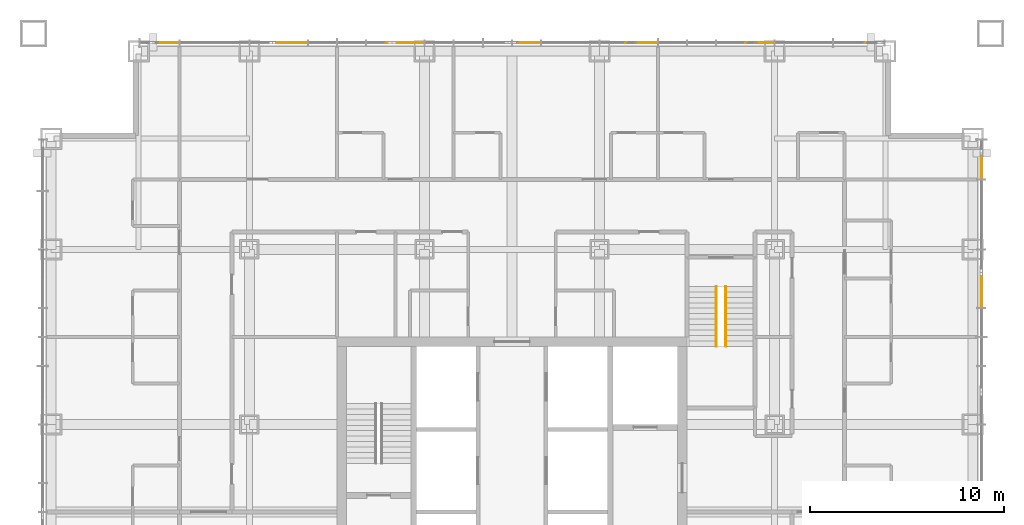
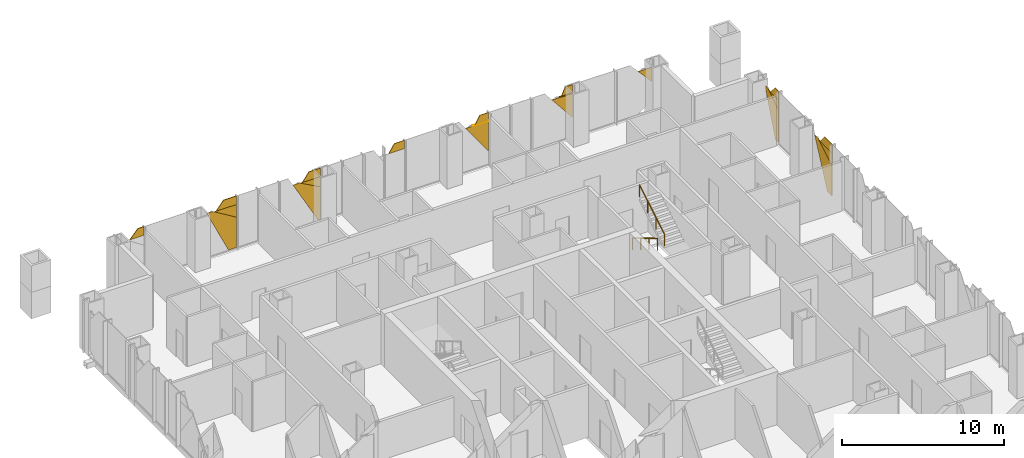
# One storey, part 15 of 23: 21 coverings, 2 railings.
"""IFC4 building model written with IfcOpenShell, lengths in metres."""

from ifc_helpers import new_model, si_unit, direction, frame, origin, origin_2d, place, context, subcontext, project, spatial, polyline, circle, outline, extrude, material, layer, layer_set, type_object, element, save


model = new_model("IFC4")

# Units and contexts
model_context = context("Model", 3, precision=1e-05, world=origin(), true_north=direction((0.0, 1.0)))
body_context = subcontext(model_context, "Body", "Model", "MODEL_VIEW")
ifc_project = project(units=[si_unit("LENGTHUNIT", "METRE"), si_unit("AREAUNIT", "SQUARE_METRE"), si_unit("VOLUMEUNIT", "CUBIC_METRE"), si_unit("PLANEANGLEUNIT", "RADIAN"), si_unit("MASSUNIT", "GRAM", prefix="KILO")], contexts=[model_context])

# Site, building, storey
site_placement = place(None, origin())
site = spatial("IfcSite", under=ifc_project, at=site_placement, CompositionType="ELEMENT")
building_placement = place(site_placement, origin())
building = spatial("IfcBuilding", under=site, at=building_placement, Name="Malebo Sky Hospital", CompositionType="ELEMENT")
storey_placement = place(building_placement, frame((0.0, 0.0, 168.0)))
storey = spatial("IfcBuildingStorey", under=building, at=storey_placement, Name="L40", CompositionType="ELEMENT", Elevation=168.0)

# Coverings
ifc_material_1 = material(Name="Anodised aluminium, natural silver insulated infill panel", Category="aluminium")
ifc_layer = layer(ifc_material_1, 0.0400390625)
ifc_layer_set = layer_set([ifc_layer], Name="BRACE INFILL PANEL 40")
covering_type = type_object("IfcCoveringType", Name="BRACE INFILL PANEL 40", PredefinedType="CLADDING", material=ifc_layer_set)
covering_1_placement = place(storey_placement, frame((42.359130859375, 86.135009765625, 3.330810546875), z_axis=(0.0, 0.0, 1.0), x_axis=(1.0, 0.0, 0.0)))
element("IfcCovering", 1, at=covering_1_placement, inside=storey, type_object=covering_type, Name="Brace infill panel 1.3", PredefinedType="CLADDING", context=body_context, shape_type="SweptSolid", body=[
    extrude(outline(polyline([(-0.50341796875, 0.0), (0.50341796875, 0.0), (0.50341796875, 0.6591796875), (0.077880859375, 0.6591796875), (-0.50341796875, 0.0)])), frame((0.0, 0.02001953125, 0.0), z_axis=(0.0, -1.0, 0.0), x_axis=(1.0, 0.0, 0.0)), (0.0, 0.0, 1.0), 0.0400390625),
])
covering_2_placement = place(storey_placement, frame((48.404541015625, 86.135009765625, 0.10009765625), z_axis=(0.0, 0.0, 1.0), x_axis=(1.0, 0.0, 0.0)))
element("IfcCovering", 2, at=covering_2_placement, inside=storey, type_object=covering_type, Name="Brace infill panel 3.1", PredefinedType="CLADDING", context=body_context, shape_type="SweptSolid", body=[
    extrude(outline(polyline([(0.491455078125, 0.0), (1.057861328125, 0.0), (1.057861328125, 2.287109375), (-0.611083984375, 3.297607421875), (-1.057861328125, 3.297607421875), (0.491455078125, 0.0)])), frame((0.0, 0.02001953125, 0.0), z_axis=(0.0, -1.0, 0.0), x_axis=(1.0, 0.0, 0.0)), (0.0, 0.0, 1.0), 0.0400390625),
])
covering_3_placement = place(storey_placement, frame((48.673828125, 86.135009765625, 2.38720703125), z_axis=(0.0, 0.0, 1.0), x_axis=(1.0, 0.0, 0.0)))
element("IfcCovering", 3, at=covering_3_placement, inside=storey, type_object=covering_type, Name="Brace infill panel 3.2", PredefinedType="CLADDING", context=body_context, shape_type="SweptSolid", body=[
    extrude(outline(polyline([(0.78857421875, 0.0), (0.78857421875, 0.954833984375), (-0.78857421875, 0.954833984375), (0.78857421875, 0.0)])), frame((0.0, 0.02001953125, 0.0), z_axis=(0.0, -1.0, 0.0), x_axis=(1.0, 0.0, 0.0)), (0.0, 0.0, 1.0), 0.0400390625),
])
covering_4_placement = place(storey_placement, frame((48.73974609375, 86.135009765625, 3.342041015625), z_axis=(0.0, 0.0, 1.0), x_axis=(1.0, 0.0, 0.0)))
element("IfcCovering", 4, at=covering_4_placement, inside=storey, type_object=covering_type, Name="Brace infill panel 3.3", PredefinedType="CLADDING", context=body_context, shape_type="SweptSolid", body=[
    extrude(outline(polyline([(-0.722900390625, 0.0), (0.722900390625, 0.0), (0.722900390625, 0.64794921875), (-0.20458984375, 0.64794921875), (-0.722900390625, 0.0)])), frame((0.0, 0.02001953125, 0.0), z_axis=(0.0, -1.0, 0.0), x_axis=(1.0, 0.0, 0.0)), (0.0, 0.0, 1.0), 0.0400390625),
])
covering_5_placement = place(storey_placement, frame((54.482666015625, 86.135009765625, 0.10009765625), z_axis=(0.0, 0.0, 1.0), x_axis=(1.0, 0.0, 0.0)))
element("IfcCovering", 5, at=covering_5_placement, inside=storey, type_object=covering_type, Name="Brace infill panel 6.1", PredefinedType="CLADDING", context=body_context, shape_type="SweptSolid", body=[
    extrude(outline(polyline([(0.8330078125, 0.0), (0.97998046875, 0.0), (0.97998046875, 2.47265625), (-0.498046875, 3.2822265625), (-0.979736328125, 3.2822265625), (0.8330078125, 0.0)])), frame((0.0, 0.02001953125, 0.0), z_axis=(0.0, -1.0, 0.0), x_axis=(1.0, 0.0, 0.0)), (0.0, 0.0, 1.0), 0.0400390625),
])
covering_6_placement = place(storey_placement, frame((54.7490234375, 86.135009765625, 2.57275390625), z_axis=(0.0, 0.0, 1.0), x_axis=(1.0, 0.0, 0.0)))
element("IfcCovering", 6, at=covering_6_placement, inside=storey, type_object=covering_type, Name="Brace infill panel 6.2", PredefinedType="CLADDING", context=body_context, shape_type="SweptSolid", body=[
    extrude(outline(polyline([(0.71337890625, 0.0), (0.71337890625, 0.78173828125), (-0.71337890625, 0.78173828125), (0.71337890625, 0.0)])), frame((0.0, 0.02001953125, 0.0), z_axis=(0.0, -1.0, 0.0), x_axis=(1.0, 0.0, 0.0)), (0.0, 0.0, 1.0), 0.0400390625),
])
covering_7_placement = place(storey_placement, frame((54.8203125, 86.135009765625, 3.3544921875), z_axis=(0.0, 0.0, 1.0), x_axis=(1.0, 0.0, 0.0)))
element("IfcCovering", 7, at=covering_7_placement, inside=storey, type_object=covering_type, Name="Brace infill panel 6.3", PredefinedType="CLADDING", context=body_context, shape_type="SweptSolid", body=[
    extrude(outline(polyline([(-0.64208984375, 0.0), (0.64208984375, 0.0), (0.64208984375, 0.635498046875), (-0.186279296875, 0.635498046875), (-0.64208984375, 0.0)])), frame((0.0, 0.02001953125, 0.0), z_axis=(0.0, -1.0, 0.0), x_axis=(1.0, 0.0, 0.0)), (0.0, 0.0, 1.0), 0.0400390625),
])
covering_8_placement = place(storey_placement, frame((60.900390625, 86.135009765625, 3.36767578125), z_axis=(0.0, 0.0, 1.0), x_axis=(1.0, 0.0, 0.0)))
element("IfcCovering", 8, at=covering_8_placement, inside=storey, type_object=covering_type, Name="Brace infill panel 10.1", PredefinedType="CLADDING", context=body_context, shape_type="SweptSolid", body=[
    extrude(outline(polyline([(-0.56201171875, 0.0), (0.56201171875, 0.0), (0.56201171875, 0.622314453125), (-0.1669921875, 0.622314453125), (-0.56201171875, 0.0)])), frame((0.0, 0.02001953125, 0.0), z_axis=(0.0, -1.0, 0.0), x_axis=(1.0, 0.0, 0.0)), (0.0, 0.0, 1.0), 0.0400390625),
])
covering_9_placement = place(storey_placement, frame((66.64208984375, 86.135009765625, 1.066162109375), z_axis=(0.0, 0.0, 1.0), x_axis=(1.0, 0.0, 0.0)))
element("IfcCovering", 9, at=covering_9_placement, inside=storey, type_object=covering_type, Name="Brace infill panel 12.1", PredefinedType="CLADDING", context=body_context, shape_type="SweptSolid", body=[
    extrude(outline(polyline([(0.8203125, 0.0), (0.8203125, 2.2880859375), (-0.8203125, 2.2880859375), (0.8203125, 0.0)])), frame((0.0, 0.02001953125, 0.0), z_axis=(0.0, -1.0, 0.0), x_axis=(1.0, 0.0, 0.0)), (0.0, 0.0, 1.0), 0.0400390625),
])
covering_10_placement = place(storey_placement, frame((66.979736328125, 86.135009765625, 3.38232421875), z_axis=(0.0, 0.0, 1.0), x_axis=(1.0, 0.0, 0.0)))
element("IfcCovering", 10, at=covering_10_placement, inside=storey, type_object=covering_type, Name="Brace infill panel 12.2", PredefinedType="CLADDING", context=body_context, shape_type="SweptSolid", body=[
    extrude(outline(polyline([(-0.482666015625, 0.0), (0.482666015625, 0.0), (0.482666015625, 0.607666015625), (-0.14697265625, 0.607666015625), (-0.482666015625, 0.0)])), frame((0.0, 0.02001953125, 0.0), z_axis=(0.0, -1.0, 0.0), x_axis=(1.0, 0.0, 0.0)), (0.0, 0.0, 1.0), 0.0400390625),
])
covering_11_placement = place(storey_placement, frame((66.894287109375, 86.135009765625, 3.3544921875), z_axis=(0.0, 0.0, 1.0), x_axis=(1.0, 0.0, 0.0)))
element("IfcCovering", 11, at=covering_11_placement, inside=storey, type_object=covering_type, Name="Brace infill panel 12.4", PredefinedType="CLADDING", context=body_context, shape_type="SweptSolid", body=[
    extrude(outline(polyline([(-0.504638671875, 0.0), (0.568359375, 0.0), (0.568359375, 0.02783203125), (-0.568359375, 0.02783203125), (-0.504638671875, 0.0)])), frame((0.0, 0.02001953125, 0.0), z_axis=(0.0, -1.0, 0.0), x_axis=(1.0, 0.0, 0.0)), (0.0, 0.0, 1.0), 0.0400390625),
])
covering_12_placement = place(storey_placement, frame((72.722900390625, 86.135009765625, 1.491455078125), z_axis=(0.0, 0.0, 1.0), x_axis=(1.0, 0.0, 0.0)))
element("IfcCovering", 12, at=covering_12_placement, inside=storey, type_object=covering_type, Name="Brace infill panel 15.1", PredefinedType="CLADDING", context=body_context, shape_type="SweptSolid", body=[
    extrude(outline(polyline([(0.73974609375, 0.0), (0.73974609375, 1.8505859375), (-0.73974609375, 1.8505859375), (0.73974609375, 0.0)])), frame((0.0, 0.02001953125, 0.0), z_axis=(0.0, -1.0, 0.0), x_axis=(1.0, 0.0, 0.0)), (0.0, 0.0, 1.0), 0.0400390625),
])
covering_13_placement = place(storey_placement, frame((73.057861328125, 86.135009765625, 3.397705078125), z_axis=(0.0, 0.0, 1.0), x_axis=(1.0, 0.0, 0.0)))
element("IfcCovering", 13, at=covering_13_placement, inside=storey, type_object=covering_type, Name="Brace infill panel 15.2", PredefinedType="CLADDING", context=body_context, shape_type="SweptSolid", body=[
    extrude(outline(polyline([(-0.404541015625, 0.0), (0.40478515625, 0.0), (0.40478515625, 0.59228515625), (-0.126220703125, 0.59228515625), (-0.404541015625, 0.0)])), frame((0.0, 0.02001953125, 0.0), z_axis=(0.0, -1.0, 0.0), x_axis=(1.0, 0.0, 0.0)), (0.0, 0.0, 1.0), 0.0400390625),
])
covering_14_placement = place(storey_placement, frame((72.962890625, 86.135009765625, 3.34228515625), z_axis=(0.0, 0.0, 1.0), x_axis=(1.0, 0.0, 0.0)))
element("IfcCovering", 14, at=covering_14_placement, inside=storey, type_object=covering_type, Name="Brace infill panel 15.4", PredefinedType="CLADDING", context=body_context, shape_type="SweptSolid", body=[
    extrude(outline(polyline([(-0.356201171875, 0.0), (0.499755859375, 0.0), (0.499755859375, 0.055419921875), (-0.499755859375, 0.055419921875), (-0.356201171875, 0.0)])), frame((0.0, 0.02001953125, 0.0), z_axis=(0.0, -1.0, 0.0), x_axis=(1.0, 0.0, 0.0)), (0.0, 0.0, 1.0), 0.0400390625),
])
covering_15_placement = place(storey_placement, frame((78.634765625, 86.135009765625, 2.218994140625), z_axis=(0.0, 0.0, 1.0), x_axis=(1.0, 0.0, 0.0)))
element("IfcCovering", 15, at=covering_15_placement, inside=storey, type_object=covering_type, Name="Brace infill panel 17.1", PredefinedType="CLADDING", context=body_context, shape_type="SweptSolid", body=[
    extrude(outline(polyline([(0.490234375, 0.0), (0.490234375, 1.11181640625), (-0.490234375, 1.11181640625), (0.490234375, 0.0)])), frame((0.0, 0.02001953125, 0.0), z_axis=(0.0, -1.0, 0.0), x_axis=(1.0, 0.0, 0.0)), (0.0, 0.0, 1.0), 0.0400390625),
])
covering_16_placement = place(storey_placement, frame((84.135009765625, 79.970947265625, 0.099853515625), z_axis=(0.0, 0.0, 1.0), x_axis=(0.0, -1.0, 0.0)))
element("IfcCovering", 16, at=covering_16_placement, inside=storey, type_object=covering_type, Name="Brace infill panel 1.1", PredefinedType="CLADDING", context=body_context, shape_type="SweptSolid", body=[
    extrude(outline(polyline([(0.4501953125, 0.0), (0.83349609375, 0.0), (0.83349609375, 2.48095703125), (-0.420166015625, 3.3134765625), (-0.833251953125, 3.3134765625), (0.4501953125, 0.0)])), frame((0.0, 0.02001953125, 0.0), z_axis=(0.0, -1.0, 0.0), x_axis=(1.0, 0.0, 0.0)), (0.0, 0.0, 1.0), 0.0400390625),
])
covering_17_placement = place(storey_placement, frame((84.135009765625, 79.7021484375, 2.580810546875), z_axis=(0.0, 0.0, 1.0), x_axis=(0.0, -1.0, 0.0)))
element("IfcCovering", 17, at=covering_17_placement, inside=storey, type_object=covering_type, Name="Brace infill panel 1.2", PredefinedType="CLADDING", context=body_context, shape_type="SweptSolid", body=[
    extrude(outline(polyline([(0.564697265625, 0.0), (0.564697265625, 0.75), (-0.564697265625, 0.75), (0.564697265625, 0.0)])), frame((0.0, 0.02001953125, 0.0), z_axis=(0.0, -1.0, 0.0), x_axis=(1.0, 0.0, 0.0)), (0.0, 0.0, 1.0), 0.0400390625),
])
covering_18_placement = place(storey_placement, frame((84.135009765625, 79.640869140625, 3.330810546875), z_axis=(0.0, 0.0, 1.0), x_axis=(0.0, -1.0, 0.0)))
element("IfcCovering", 18, at=covering_18_placement, inside=storey, type_object=covering_type, Name="Brace infill panel 1.3", PredefinedType="CLADDING", context=body_context, shape_type="SweptSolid", body=[
    extrude(outline(polyline([(-0.50341796875, 0.0), (0.50341796875, 0.0), (0.50341796875, 0.6591796875), (0.077880859375, 0.6591796875), (-0.50341796875, 0.0)])), frame((0.0, 0.02001953125, 0.0), z_axis=(0.0, -1.0, 0.0), x_axis=(1.0, 0.0, 0.0)), (0.0, 0.0, 1.0), 0.0400390625),
])
covering_19_placement = place(storey_placement, frame((84.135009765625, 73.595458984375, 0.10009765625), z_axis=(0.0, 0.0, 1.0), x_axis=(0.0, -1.0, 0.0)))
element("IfcCovering", 19, at=covering_19_placement, inside=storey, type_object=covering_type, Name="Brace infill panel 3.1", PredefinedType="CLADDING", context=body_context, shape_type="SweptSolid", body=[
    extrude(outline(polyline([(0.491455078125, 0.0), (1.057861328125, 0.0), (1.057861328125, 2.287109375), (-0.611083984375, 3.297607421875), (-1.057861328125, 3.297607421875), (0.491455078125, 0.0)])), frame((0.0, 0.02001953125, 0.0), z_axis=(0.0, -1.0, 0.0), x_axis=(1.0, 0.0, 0.0)), (0.0, 0.0, 1.0), 0.0400390625),
])
covering_20_placement = place(storey_placement, frame((84.135009765625, 73.326171875, 2.38720703125), z_axis=(0.0, 0.0, 1.0), x_axis=(0.0, -1.0, 0.0)))
element("IfcCovering", 20, at=covering_20_placement, inside=storey, type_object=covering_type, Name="Brace infill panel 3.2", PredefinedType="CLADDING", context=body_context, shape_type="SweptSolid", body=[
    extrude(outline(polyline([(0.78857421875, 0.0), (0.78857421875, 0.954833984375), (-0.78857421875, 0.954833984375), (0.78857421875, 0.0)])), frame((0.0, 0.02001953125, 0.0), z_axis=(0.0, -1.0, 0.0), x_axis=(1.0, 0.0, 0.0)), (0.0, 0.0, 1.0), 0.0400390625),
])
covering_21_placement = place(storey_placement, frame((84.135009765625, 73.26025390625, 3.342041015625), z_axis=(0.0, 0.0, 1.0), x_axis=(0.0, -1.0, 0.0)))
element("IfcCovering", 21, at=covering_21_placement, inside=storey, type_object=covering_type, Name="Brace infill panel 3.3", PredefinedType="CLADDING", context=body_context, shape_type="SweptSolid", body=[
    extrude(outline(polyline([(-0.722900390625, 0.0), (0.722900390625, 0.0), (0.722900390625, 0.64794921875), (-0.20458984375, 0.64794921875), (-0.722900390625, 0.0)])), frame((0.0, 0.02001953125, 0.0), z_axis=(0.0, -1.0, 0.0), x_axis=(1.0, 0.0, 0.0)), (0.0, 0.0, 1.0), 0.0400390625),
])

# Railings
ifc_material_2 = material(Name="Stainless steel tube", Category="steel")
railing_type = type_object("IfcRailingType", Name="STAIR HANDRAIL 900", PredefinedType="HANDRAIL", material=ifc_material_2)
railing_1_placement = place(storey_placement, frame((70.5, 73.60009765625, 0.166748046875)))
element("IfcRailing", 22, at=railing_1_placement, inside=storey, type_object=railing_type, Name="Stair handrail S3 flight 1", PredefinedType="HANDRAIL", context=body_context, shape_type="SweptSolid", body=[
    extrude(circle(Radius=0.02392578125, at=origin_2d()), frame((0.0, 0.0, 0.8759765625), z_axis=(0.0, -0.859308565015, 0.511457515432), x_axis=(1.0, 0.0, 0.0)), (0.0, 0.0, 1.0), 3.58447265625),
    extrude(circle(Radius=0.02099609375, at=origin_2d()), origin(), (0.0, 0.0, 1.0), 0.851806640625),
    extrude(circle(Radius=0.02099609375, at=origin_2d()), frame((0.0, -1.026611328125, 0.611083984375)), (0.0, 0.0, 1.0), 0.851806640625),
    extrude(circle(Radius=0.02099609375, at=origin_2d()), frame((0.0, -2.053466796875, 1.22216796875)), (0.0, 0.0, 1.0), 0.851806640625),
    extrude(circle(Radius=0.02099609375, at=origin_2d()), frame((0.0, -3.080078125, 1.833251953125)), (0.0, 0.0, 1.0), 0.851806640625),
])
railing_2_placement = place(storey_placement, frame((71.0, 70.52001953125, 2.166748046875)))
element("IfcRailing", 23, at=railing_2_placement, inside=storey, type_object=railing_type, Name="Stair handrail S3 flight 2", PredefinedType="HANDRAIL", context=body_context, shape_type="SweptSolid", body=[
    extrude(circle(Radius=0.02392578125, at=origin_2d()), frame((0.0, 0.0, 0.8759765625), z_axis=(0.0, 0.859308565015, 0.511457515432), x_axis=(-1.0, 0.0, 0.0)), (0.0, 0.0, 1.0), 3.58447265625),
    extrude(circle(Radius=0.02099609375, at=origin_2d()), origin(), (0.0, 0.0, 1.0), 0.851806640625),
    extrude(circle(Radius=0.02099609375, at=origin_2d()), frame((0.0, 1.026611328125, 0.611083984375)), (0.0, 0.0, 1.0), 0.851806640625),
    extrude(circle(Radius=0.02099609375, at=origin_2d()), frame((0.0, 2.053466796875, 1.22216796875)), (0.0, 0.0, 1.0), 0.851806640625),
    extrude(circle(Radius=0.02099609375, at=origin_2d()), frame((0.0, 3.080078125, 1.833251953125)), (0.0, 0.0, 1.0), 0.851806640625),
])

save(model, "model.ifc")
